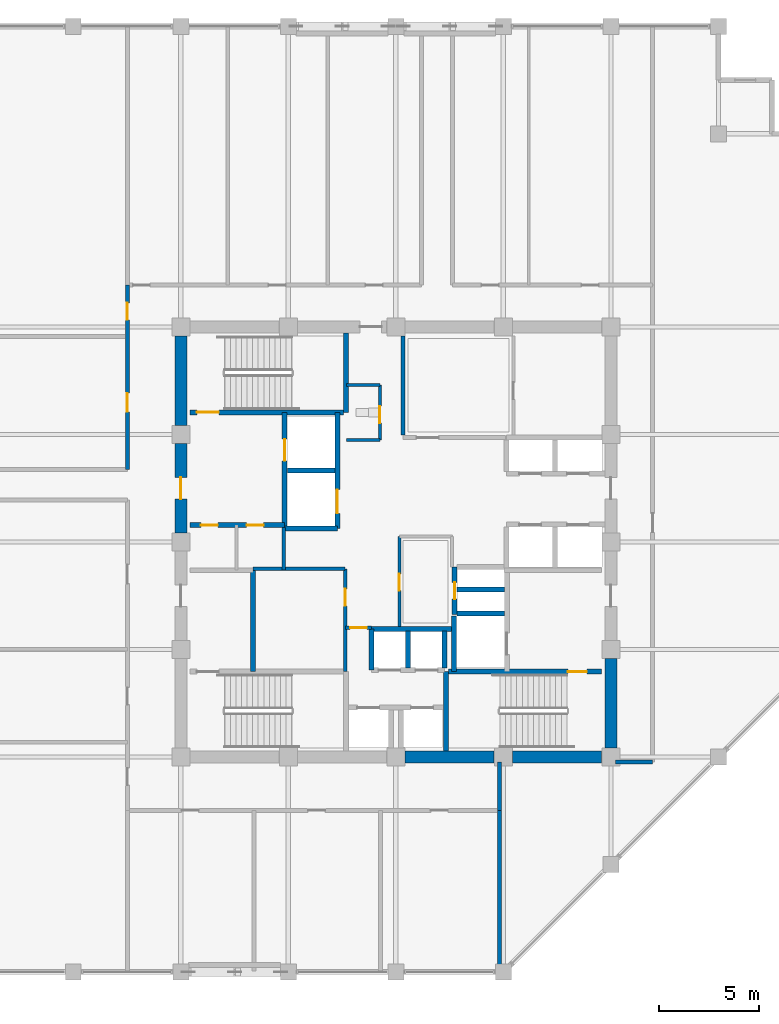
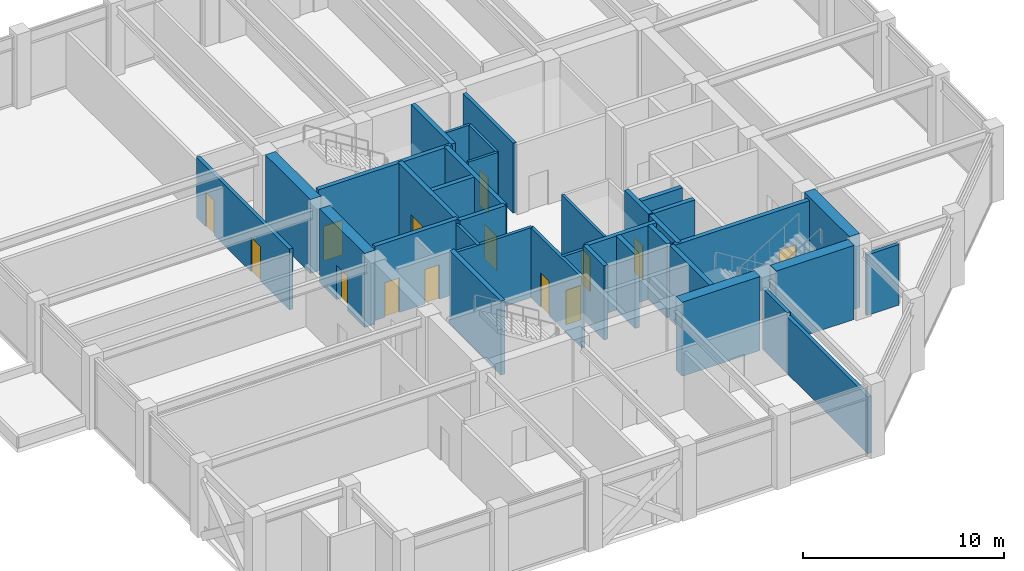
# One storey, part 24 of 28: 36 walls, 14 doors, 14 openings.
"""IFC4 building model written with IfcOpenShell, lengths in metres."""

import ifcopenshell
import ifcopenshell.guid

model = None  # the IFC model being written
_history = None  # IfcOwnerHistory: only IFC2X3 demands one
_inside = {}  # id of a spatial element -> (the spatial element, [elements in it])
_under = {}  # id of a project, library or spatial element -> (it, [spatial elements below it])
_declared = {}  # id of a project -> (the project, [libraries it declares])
_typed = {}  # id of a type object -> (the type object, [elements of that type])
_made_of = {}  # id of a material, layer set ... -> (it, [elements and type objects made of it])


def new_model(schema):
    """Start an empty IFC model of exactly this schema.

    Asked for "IFC4X3", IfcOpenShell would pick the latest addendum, in which some entities
    have other attributes; the version numbers below select the first issue.
    IFC2X3 requires an IfcOwnerHistory on every rooted entity: one is made here for all.
    """
    global model, _history
    if schema == "IFC4X3":
        model = ifcopenshell.file(schema_version=(4, 3, 0, 0))
    else:
        model = ifcopenshell.file(schema=schema)
    _inside.clear()
    _under.clear()
    _declared.clear()
    _typed.clear()
    _made_of.clear()
    _history = None
    if model.schema == "IFC2X3":
        org = make("IfcOrganization", Name="unknown")
        user = make(
            "IfcPersonAndOrganization",
            ThePerson=make("IfcPerson", FamilyName="unknown"),
            TheOrganization=org,
        )
        app = make(
            "IfcApplication",
            ApplicationDeveloper=org,
            Version="unknown",
            ApplicationFullName="unknown",
            ApplicationIdentifier="unknown",
        )
        _history = make(
            "IfcOwnerHistory",
            OwningUser=user,
            OwningApplication=app,
            ChangeAction="ADDED",
            CreationDate=0,
        )
    return model


def make(cls, **values):
    """One entity of the class cls with the attributes given. An attribute that is None is left unset."""
    return model.create_entity(
        cls, **{name: value for name, value in values.items() if value is not None}
    )


def rooted(cls, **values):
    """An entity with a GlobalId (a new one), such as an element, a storey or a relation."""
    return make(cls, GlobalId=ifcopenshell.guid.new(), OwnerHistory=_history, **values)


def si_unit(unit_type, name, prefix=None):
    """IfcSIUnit, for example si_unit("LENGTHUNIT", "METRE", prefix="MILLI")."""
    return make("IfcSIUnit", UnitType=unit_type, Prefix=prefix, Name=name)


def assignment(units):
    """IfcUnitAssignment: the units of a project."""
    return None if units is None else make("IfcUnitAssignment", Units=units)


def point(xyz):
    """IfcCartesianPoint."""
    return None if xyz is None else make("IfcCartesianPoint", Coordinates=xyz)


def direction(xyz):
    """IfcDirection."""
    return None if xyz is None else make("IfcDirection", DirectionRatios=xyz)


def frame(location, z_axis=None, x_axis=None):
    """IfcAxis2Placement3D, a coordinate frame: its origin and axes. An axis left out is left unset."""
    return make(
        "IfcAxis2Placement3D",
        Location=point(location),
        Axis=direction(z_axis),
        RefDirection=direction(x_axis),
    )


def frame_2d(location, x_axis=None):
    """IfcAxis2Placement2D, a coordinate frame in the plane: its origin and x axis."""
    return make(
        "IfcAxis2Placement2D", Location=point(location), RefDirection=direction(x_axis)
    )


def origin():
    """The frame at (0, 0, 0) with its axes left unset."""
    return frame((0.0, 0.0, 0.0))


def place(relative_to, where):
    """IfcLocalPlacement: puts the frame where relative to a parent placement (None: the world)."""
    return make(
        "IfcLocalPlacement", PlacementRelTo=relative_to, RelativePlacement=where
    )


def context(
    kind, dimensions, precision=None, world=None, true_north=None, identifier=None
):
    """IfcGeometricRepresentationContext, for example the 3D "Model" context."""
    return make(
        "IfcGeometricRepresentationContext",
        ContextIdentifier=identifier,
        ContextType=kind,
        CoordinateSpaceDimension=dimensions,
        Precision=precision,
        WorldCoordinateSystem=world,
        TrueNorth=true_north,
    )


def subcontext(parent, identifier, kind, view, scale=None):
    """IfcGeometricRepresentationSubContext, for example "Body" below "Model"."""
    return make(
        "IfcGeometricRepresentationSubContext",
        ContextIdentifier=identifier,
        ContextType=kind,
        ParentContext=parent,
        TargetScale=scale,
        TargetView=view,
    )


def project(units=None, contexts=None):
    """IfcProject with its units and contexts."""
    return rooted(
        "IfcProject",
        Name="project",
        RepresentationContexts=contexts,
        UnitsInContext=assignment(units),
    )


def spatial(cls, under=None, at=None, **own):
    """A site, building, storey or space (cls), placed at a placement, below another one or the project."""
    s = rooted(cls, ObjectPlacement=at, **own)
    if under is not None:
        _under.setdefault(under.id(), (under, []))[1].append(s)
    return s


def profile(cls, at=None, kind="AREA", **sizes):
    """A parametric profile (cls). Its sizes go by their IFC names, for example OverallWidth=200.0."""
    return make(cls, ProfileType=kind, Position=at, **sizes)


def rectangle(**sizes):
    """IfcRectangleProfileDef."""
    return profile("IfcRectangleProfileDef", **sizes)


def extrude(swept, where, along, depth):
    """IfcExtrudedAreaSolid: the profile swept, set in the frame where, extruded along a direction by depth."""
    return make(
        "IfcExtrudedAreaSolid",
        SweptArea=swept,
        Position=where,
        ExtrudedDirection=direction(along),
        Depth=depth,
    )


def shape(context_of_items, identifier, shape_type, items):
    """IfcShapeRepresentation: the items that make up one representation, for example the "Body"."""
    return make(
        "IfcShapeRepresentation",
        ContextOfItems=context_of_items,
        RepresentationIdentifier=identifier,
        RepresentationType=shape_type,
        Items=items,
    )


def material(Name=None, Category=None):
    """IfcMaterial."""
    return make("IfcMaterial", Name=Name, Category=Category)


def layer(
    of_material, thickness, ventilated=None, Name=None, Category=None, Priority=None
):
    """IfcMaterialLayer: one layer of a wall or slab, of a material (None: an air gap)."""
    return make(
        "IfcMaterialLayer",
        Material=of_material,
        LayerThickness=thickness,
        IsVentilated=ventilated,
        Name=Name,
        Category=Category,
        Priority=Priority,
    )


def layer_set(layers, Name=None):
    """IfcMaterialLayerSet."""
    return make("IfcMaterialLayerSet", MaterialLayers=layers, LayerSetName=Name)


def made_of(thing, what):
    """Note that an element or type object is made of a material, layer set ...; save() writes the relation."""
    if what is not None:
        _made_of.setdefault(what.id(), (what, []))[1].append(thing)
    return thing


def type_object(cls, material=None, **own):
    """A type object (cls), such as IfcWallType, which elements share."""
    return made_of(rooted(cls, **own), material)


def element(
    cls,
    number,
    at=None,
    inside=None,
    cuts=None,
    type_object=None,
    material=None,
    context=None,
    identifier="Body",
    shape_type=None,
    held_by="IfcProductDefinitionShape",
    body=None,
    shapes=None,
    **own,
):
    """One element of the class cls, such as IfcWall. Its Tag is "e" and its number.

    at: its placement. inside: the storey or other place that contains it. cuts: it is an
    opening in that element (IfcRelVoidsElement). A single representation is given by context,
    identifier, shape_type and body (its items); several are given by shapes. held_by: the class
    of the entity that holds the representations. save() writes the other relations.
    """
    e = rooted(cls, Tag="e%d" % number, ObjectPlacement=at, **own)
    if body is not None:
        shapes = [shape(context, identifier, shape_type, body)]
    if shapes is not None:
        e.Representation = make(held_by, Representations=shapes)
    if inside is not None:
        _inside.setdefault(inside.id(), (inside, []))[1].append(e)
    if cuts is not None:
        rooted(
            "IfcRelVoidsElement", RelatingBuildingElement=cuts, RelatedOpeningElement=e
        )
    if type_object is not None:
        _typed.setdefault(type_object.id(), (type_object, []))[1].append(e)
    return made_of(e, material)


def fill(opening, filler):
    """IfcRelFillsElement: the door or window that sits in an opening."""
    return rooted(
        "IfcRelFillsElement",
        RelatingOpeningElement=opening,
        RelatedBuildingElement=filler,
    )


def aggregate(whole, parts):
    """IfcRelAggregates: a whole, such as a stair, and the parts it consists of."""
    return rooted("IfcRelAggregates", RelatingObject=whole, RelatedObjects=parts)


def save(model, path):
    """Write the relations noted so far, then the file.

    IfcRelAggregates (storeys below a building ...), IfcRelContainedInSpatialStructure (elements
    in a storey), IfcRelDefinesByType, IfcRelAssociatesMaterial and IfcRelDeclares: one each for
    every whole, place, type object, material and project.
    """
    for whole, parts in _under.values():
        aggregate(whole, parts)
    for where, things in _inside.values():
        rooted(
            "IfcRelContainedInSpatialStructure",
            RelatedElements=things,
            RelatingStructure=where,
        )
    for kind, things in _typed.values():
        rooted("IfcRelDefinesByType", RelatedObjects=things, RelatingType=kind)
    for what, things in _made_of.values():
        rooted("IfcRelAssociatesMaterial", RelatedObjects=things, RelatingMaterial=what)
    for by, libraries in _declared.values():
        rooted("IfcRelDeclares", RelatingContext=by, RelatedDefinitions=libraries)
    model.write(path)


model = new_model("IFC4")

# Units and contexts
model_context = context("Model", 3, precision=1e-05, world=origin(), true_north=direction((0.0, 1.0)))
body_context = subcontext(model_context, "Body", "Model", "MODEL_VIEW")
ifc_project = project(units=[si_unit("LENGTHUNIT", "METRE"), si_unit("AREAUNIT", "SQUARE_METRE"), si_unit("VOLUMEUNIT", "CUBIC_METRE"), si_unit("PLANEANGLEUNIT", "RADIAN"), si_unit("MASSUNIT", "GRAM", prefix="KILO")], contexts=[model_context])

# Site, building, storey
site_placement = place(None, origin())
site = spatial("IfcSite", under=ifc_project, at=site_placement, CompositionType="ELEMENT")
building_placement = place(site_placement, origin())
building = spatial("IfcBuilding", under=site, at=building_placement, Name="Surkhivell Harbour Commons", CompositionType="ELEMENT")
storey_placement = place(building_placement, frame((0.0, 0.0, 249.75)))
storey = spatial("IfcBuildingStorey", under=building, at=storey_placement, Name="L65", CompositionType="ELEMENT", Elevation=249.75)

# Walls
ifc_material_1 = material(Name="Concrete C60/75", Category="concrete")
ifc_layer_1 = layer(ifc_material_1, 0.60009765625)
ifc_layer_set_1 = layer_set([ifc_layer_1], Name="Concrete C60/75")
wall_type_1 = type_object("IfcWallType", Name="WAL-CORE-600", PredefinedType="SHEAR", material=ifc_layer_set_1)
for number, where, z_axis, x_axis, name in (
    (1, (10.800048828125, -10.340087890625, 0.0), (0.0, 0.0, 1.0), (0.0, 1.0, 0.0), "L65 Core Shear Wall East 1"),
    (2, (0.4599609375, -10.800048828125, 0.0), (0.0, 0.0, 1.0), (1.0, 0.0, 0.0), "L65 Core Shear Wall South 3"),
):
    element("IfcWall", number, at=place(storey_placement, frame(where, z_axis=z_axis, x_axis=x_axis)), inside=storey, type_object=wall_type_1, Name=name, PredefinedType="SHEAR", context=body_context, shape_type="SweptSolid", body=[
        extrude(rectangle(XDim=4.47998046875, YDim=0.60009765625, at=frame_2d((2.239990234375, 0.0))), origin(), (0.0, 0.0, 1.0), 4.5),
    ])

# Wall, opening, door
wall_1_placement = place(storey_placement, frame((-10.800048828125, 0.4599609375, 0.0), z_axis=(0.0, 0.0, 1.0), x_axis=(0.0, 1.0, 0.0)))
wall_1 = element("IfcWall", 3, at=wall_1_placement, inside=storey, type_object=wall_type_1, Name="L65 Core Shear Wall West 3", PredefinedType="SHEAR", context=body_context, shape_type="SweptSolid", body=[
    extrude(rectangle(XDim=4.47998046875, YDim=0.60009765625, at=frame_2d((2.239990234375, 0.0))), origin(), (0.0, 0.0, 1.0), 4.5),
])
opening_1_placement = place(wall_1_placement, frame((1.68994140625, 0.0, 0.0)))
opening_1 = element("IfcOpeningElement", 4, at=opening_1_placement, cuts=wall_1, Name="Opening ID-1", PredefinedType="OPENING", context=body_context, shape_type="SweptSolid", body=[
    extrude(rectangle(XDim=1.10009765625, YDim=2.10009765625, at=frame_2d((0.550048828125, 1.050048828125))), frame((0.0, 0.31005859375, 0.0), z_axis=(0.0, -1.0, 0.0), x_axis=(1.0, 0.0, 0.0)), (0.0, 0.0, 1.0), 0.6201171875),
])
ifc_material_2 = material(Name="Hardwood-veneered fire-rated door leaf", Category="wood")
door_type_1 = type_object("IfcDoorType", Name="DOR-FD120-1100", OperationType="NOTDEFINED", PredefinedType="DOOR", material=ifc_material_2)
door_1_placement = place(opening_1_placement, origin())
door_1 = element("IfcDoor", 5, at=door_1_placement, inside=storey, type_object=door_type_1, Name="L65 Firefighting Lobby 1 Corridor Door", OperationType="SINGLE_SWING_LEFT", OverallHeight=2.10009765625, OverallWidth=1.10009765625, PredefinedType="DOOR", context=body_context, shape_type="SweptSolid", body=[
    extrude(rectangle(XDim=1.10009765625, YDim=2.10009765625, at=frame_2d((0.550048828125, 1.050048828125))), frame((0.0, 0.02490234375, 0.0), z_axis=(0.0, -1.0, 0.0), x_axis=(1.0, 0.0, 0.0)), (0.0, 0.0, 1.0), 0.050048828125),
])
fill(opening_1, door_1)

# Walls
for number, where, z_axis, x_axis, name in (
    (6, (5.860107421875, -10.800048828125, 0.0), (0.0, 0.0, 1.0), (1.0, 0.0, 0.0), "L65 Core Shear Wall South 4"),
    (7, (-10.800048828125, 5.860107421875, 0.0), (0.0, 0.0, 1.0), (0.0, 1.0, 0.0), "L65 Core Shear Wall West 4"),
):
    element("IfcWall", number, at=place(storey_placement, frame(where, z_axis=z_axis, x_axis=x_axis)), inside=storey, type_object=wall_type_1, Name=name, PredefinedType="SHEAR", context=body_context, shape_type="SweptSolid", body=[
        extrude(rectangle(XDim=4.47998046875, YDim=0.60009765625, at=frame_2d((2.239990234375, 0.0))), origin(), (0.0, 0.0, 1.0), 4.5),
    ])

# Wall, opening, door
ifc_material_3 = material(Name="Twin-stud acoustic fireboard partition", Category="other")
ifc_layer_2 = layer(ifc_material_3, 0.14990234375)
ifc_layer_set_2 = layer_set([ifc_layer_2], Name="Twin-stud acoustic fireboard partition")
wall_type_2 = type_object("IfcWallType", Name="WAL-INT-150", PredefinedType="PARTITIONING", material=ifc_layer_set_2)
wall_2_placement = place(storey_placement, frame((-0.800048828125, 5.1201171875, 0.0), z_axis=(0.0, 0.0, 1.0), x_axis=(0.0, 1.0, 0.0)))
wall_2 = element("IfcWall", 8, at=wall_2_placement, inside=storey, type_object=wall_type_2, Name="L65 Core Accessible WC East Wall", PredefinedType="PARTITIONING", context=body_context, shape_type="SweptSolid", body=[
    extrude(rectangle(XDim=2.759765625, YDim=0.14990234375, at=frame_2d((1.3798828125, 0.0))), origin(), (0.0, 0.0, 1.0), 4.25),
])
opening_2_placement = place(wall_2_placement, frame((0.85009765625, 0.0, 0.0)))
opening_2 = element("IfcOpeningElement", 9, at=opening_2_placement, cuts=wall_2, Name="Opening ID-6", PredefinedType="OPENING", context=body_context, shape_type="SweptSolid", body=[
    extrude(rectangle(XDim=0.85009765625, YDim=2.10009765625, at=frame_2d((0.425048828125, 1.050048828125))), frame((0.0, 0.0849609375, 0.0), z_axis=(0.0, -1.0, 0.0), x_axis=(1.0, 0.0, 0.0)), (0.0, 0.0, 1.0), 0.169921875),
])
door_type_2 = type_object("IfcDoorType", Name="DOR-FD30-850", OperationType="NOTDEFINED", PredefinedType="DOOR", material=ifc_material_2)
door_2_placement = place(opening_2_placement, origin())
door_2 = element("IfcDoor", 10, at=door_2_placement, inside=storey, type_object=door_type_2, Name="L65 Floor Accessible WC Door", OperationType="SINGLE_SWING_LEFT", OverallHeight=2.10009765625, OverallWidth=0.85009765625, PredefinedType="DOOR", context=body_context, shape_type="SweptSolid", body=[
    extrude(rectangle(XDim=0.85009765625, YDim=2.10009765625, at=frame_2d((0.425048828125, 1.050048828125))), frame((0.0, 0.02490234375, 0.0), z_axis=(0.0, -1.0, 0.0), x_axis=(1.0, 0.0, 0.0)), (0.0, 0.0, 1.0), 0.050048828125),
])
fill(opening_2, door_2)

# Walls
for number, where, z_axis, x_axis, name in (
    (11, (-2.47998046875, 7.8798828125, 0.0), (0.0, 0.0, 1.0), (1.0, 0.0, 0.0), "L65 Core Accessible WC North Wall"),
    (12, (-2.47998046875, 5.1201171875, 0.0), (0.0, 0.0, 1.0), (1.0, 0.0, 0.0), "L65 Core Accessible WC South Wall"),
):
    element("IfcWall", number, at=place(storey_placement, frame(where, z_axis=z_axis, x_axis=x_axis)), inside=storey, type_object=wall_type_2, Name=name, PredefinedType="PARTITIONING", context=body_context, shape_type="SweptSolid", body=[
        extrude(rectangle(XDim=1.679931640625, YDim=0.14990234375, at=frame_2d((0.83984375, 0.0))), origin(), (0.0, 0.0, 1.0), 4.25),
    ])

# Wall, opening, door
wall_3_placement = place(storey_placement, frame((0.179931640625, -4.25, 0.0), z_axis=(0.0, 0.0, 1.0), x_axis=(0.0, 1.0, 0.0)))
wall_3 = element("IfcWall", 13, at=wall_3_placement, inside=storey, type_object=wall_type_2, Name="L65 Central Music West Wall", PredefinedType="PARTITIONING", context=body_context, shape_type="SweptSolid", body=[
    extrude(rectangle(XDim=4.530029296875, YDim=0.14990234375, at=frame_2d((2.26513671875, 0.0))), origin(), (0.0, 0.0, 1.0), 4.25),
])
opening_3_placement = place(wall_3_placement, frame((1.800048828125, 0.0, 0.0)))
opening_3 = element("IfcOpeningElement", 14, at=opening_3_placement, cuts=wall_3, Name="Opening ID-6", PredefinedType="OPENING", context=body_context, shape_type="SweptSolid", body=[
    extrude(rectangle(XDim=0.85009765625, YDim=2.10009765625, at=frame_2d((0.425048828125, 1.050048828125))), frame((0.0, 0.0849609375, 0.0), z_axis=(0.0, -1.0, 0.0), x_axis=(1.0, 0.0, 0.0)), (0.0, 0.0, 1.0), 0.169921875),
])
door_3_placement = place(opening_3_placement, origin())
door_3 = element("IfcDoor", 15, at=door_3_placement, inside=storey, type_object=door_type_2, Name="L65 Central Music Door", OperationType="SINGLE_SWING_RIGHT", OverallHeight=2.10009765625, OverallWidth=0.85009765625, PredefinedType="DOOR", context=body_context, shape_type="SweptSolid", body=[
    extrude(rectangle(XDim=0.85009765625, YDim=2.10009765625, at=frame_2d((0.425048828125, 1.050048828125))), frame((0.0, 0.02490234375, 0.0), z_axis=(0.0, -1.0, 0.0), x_axis=(1.0, 0.0, 0.0)), (0.0, 0.0, 1.0), 0.050048828125),
])
fill(opening_3, door_3)

ifc_material_4 = material(Name="High-density acoustic blockwork fire partition", Category="masonry")
ifc_layer_3 = layer(ifc_material_4, 0.175048828125)
ifc_layer_set_3 = layer_set([ifc_layer_3], Name="High-density acoustic blockwork fire partition")
wall_type_3 = type_object("IfcWallType", Name="WAL-INT-175", PredefinedType="PARTITIONING", material=ifc_layer_set_3)
wall_4_placement = place(storey_placement, frame((-2.550048828125, -6.510009765625, 0.0), z_axis=(0.0, 0.0, 1.0), x_axis=(0.0, 1.0, 0.0)))
wall_4 = element("IfcWall", 16, at=wall_4_placement, inside=storey, type_object=wall_type_3, Name="L65 Core Service Bay East Wall", PredefinedType="PARTITIONING", context=body_context, shape_type="SweptSolid", body=[
    extrude(rectangle(XDim=5.159912109375, YDim=0.175048828125, at=frame_2d((2.580078125, 0.0))), origin(), (0.0, 0.0, 1.0), 4.25),
])
opening_4_placement = place(wall_4_placement, frame((3.300048828125, 0.0, 0.0)))
opening_4 = element("IfcOpeningElement", 17, at=opening_4_placement, cuts=wall_4, Name="Opening ID-6", PredefinedType="OPENING", context=body_context, shape_type="SweptSolid", body=[
    extrude(rectangle(XDim=0.85009765625, YDim=2.10009765625, at=frame_2d((0.425048828125, 1.050048828125))), frame((0.0, 0.097412109375, 0.0), z_axis=(0.0, -1.0, 0.0), x_axis=(1.0, 0.0, 0.0)), (0.0, 0.0, 1.0), 0.195068359375),
])
door_4_placement = place(opening_4_placement, origin())
door_4 = element("IfcDoor", 18, at=door_4_placement, inside=storey, type_object=door_type_2, Name="L65 Core Quiet Reading Door", OperationType="SINGLE_SWING_RIGHT", OverallHeight=2.10009765625, OverallWidth=0.85009765625, PredefinedType="DOOR", context=body_context, shape_type="SweptSolid", body=[
    extrude(rectangle(XDim=0.85009765625, YDim=2.10009765625, at=frame_2d((0.425048828125, 1.050048828125))), frame((0.0, 0.02490234375, 0.0), z_axis=(0.0, -1.0, 0.0), x_axis=(1.0, 0.0, 0.0)), (0.0, 0.0, 1.0), 0.050048828125),
])
fill(opening_4, door_4)

# Walls
wall_5_placement = place(storey_placement, frame((-7.179931640625, -1.35009765625, 0.0), z_axis=(0.0, 0.0, 1.0), x_axis=(1.0, 0.0, 0.0)))
element("IfcWall", 19, at=wall_5_placement, inside=storey, type_object=wall_type_3, Name="L65 Core Service Bay North Wall", PredefinedType="PARTITIONING", context=body_context, shape_type="SweptSolid", body=[
    extrude(rectangle(XDim=4.6298828125, YDim=0.175048828125, at=frame_2d((2.31494140625, 0.0))), origin(), (0.0, 0.0, 1.0), 4.25),
])
wall_6_placement = place(storey_placement, frame((-5.6201171875, -1.419921875, 0.0), z_axis=(0.0, 0.0, 1.0), x_axis=(0.0, 1.0, 0.0)))
element("IfcWall", 20, at=wall_6_placement, inside=storey, type_object=wall_type_3, Name="L65 West Core Bay East Wall", PredefinedType="PARTITIONING", context=body_context, shape_type="SweptSolid", body=[
    extrude(rectangle(XDim=2.139892578125, YDim=0.175048828125, at=frame_2d((1.06982421875, 0.0))), origin(), (0.0, 0.0, 1.0), 4.25),
])

# Wall, opening, door
wall_7_placement = place(storey_placement, frame((-2.52001953125, -4.320068359375, 0.0), z_axis=(0.0, 0.0, 1.0), x_axis=(1.0, 0.0, 0.0)))
wall_7 = element("IfcWall", 21, at=wall_7_placement, inside=storey, type_object=wall_type_3, Name="L65 High-Rise Lobby North Portal Wall", PredefinedType="PARTITIONING", context=body_context, shape_type="SweptSolid", body=[
    extrude(rectangle(XDim=1.300048828125, YDim=0.175048828125, at=frame_2d((0.64990234375, 0.0))), origin(), (0.0, 0.0, 1.0), 4.25),
])
opening_5_placement = place(wall_7_placement, frame((0.219970703125, 0.0, 0.0)))
opening_5 = element("IfcOpeningElement", 22, at=opening_5_placement, cuts=wall_7, Name="Opening ID-6", PredefinedType="OPENING", context=body_context, shape_type="SweptSolid", body=[
    extrude(rectangle(XDim=0.85009765625, YDim=2.10009765625, at=frame_2d((0.425048828125, 1.050048828125))), frame((0.0, 0.097412109375, 0.0), z_axis=(0.0, -1.0, 0.0), x_axis=(1.0, 0.0, 0.0)), (0.0, 0.0, 1.0), 0.195068359375),
])
door_5_placement = place(opening_5_placement, origin())
door_5 = element("IfcDoor", 23, at=door_5_placement, inside=storey, type_object=door_type_2, Name="L65 High-Rise Lift Lobby North Door", OperationType="SINGLE_SWING_LEFT", OverallHeight=2.10009765625, OverallWidth=0.85009765625, PredefinedType="DOOR", context=body_context, shape_type="SweptSolid", body=[
    extrude(rectangle(XDim=0.85009765625, YDim=2.10009765625, at=frame_2d((0.425048828125, 1.050048828125))), frame((0.0, 0.02490234375, 0.0), z_axis=(0.0, -1.0, 0.0), x_axis=(1.0, 0.0, 0.0)), (0.0, 0.0, 1.0), 0.050048828125),
])
fill(opening_5, door_5)

# Walls
ifc_material_5 = material(Name="Autoclaved aerated concrete blockwork and fire plaster", Category="masonry")
ifc_layer_4 = layer(ifc_material_5, 0.199951171875)
ifc_layer_set_4 = layer_set([ifc_layer_4], Name="Autoclaved aerated concrete blockwork and fire plaster")
wall_type_4 = type_object("IfcWallType", Name="WAL-INT-200", PredefinedType="PARTITIONING", material=ifc_layer_set_4)
wall_8_placement = place(storey_placement, frame((0.35009765625, 5.360107421875, 0.0), z_axis=(0.0, 0.0, 1.0), x_axis=(0.0, 1.0, 0.0)))
element("IfcWall", 24, at=wall_8_placement, inside=storey, type_object=wall_type_4, Name="L65 Reclaimed Core North Bay West Wall", PredefinedType="PARTITIONING", context=body_context, shape_type="SweptSolid", body=[
    extrude(rectangle(XDim=4.97998046875, YDim=0.199951171875, at=frame_2d((2.489990234375, 0.0))), origin(), (0.0, 0.0, 1.0), 4.25),
])
wall_9_placement = place(storey_placement, frame((5.199951171875, -21.5400390625, 0.0), z_axis=(0.0, 0.0, 1.0), x_axis=(0.0, 1.0, 0.0)))
element("IfcWall", 25, at=wall_9_placement, inside=storey, type_object=wall_type_4, Name="L65 South-East Corner Wall", PredefinedType="PARTITIONING", context=body_context, shape_type="SweptSolid", body=[
    extrude(rectangle(XDim=8.06005859375, YDim=0.199951171875, at=frame_2d((4.030029296875, 0.0))), origin(), (0.0, 0.0, 1.0), 3.4599609375),
])
wall_10_placement = place(storey_placement, frame((11.0400390625, -11.0400390625, 0.0), z_axis=(0.0, 0.0, 1.0), x_axis=(1.0, 0.0, 0.0)))
element("IfcWall", 26, at=wall_10_placement, inside=storey, type_object=wall_type_4, Name="L65 Corridor East South Closure Wall", PredefinedType="PARTITIONING", context=body_context, shape_type="SweptSolid", body=[
    extrude(rectangle(XDim=1.85986328125, YDim=0.199951171875, at=frame_2d((0.929931640625, 0.0))), origin(), (0.0, 0.0, 1.0), 3.68603515625),
])
wall_11_placement = place(storey_placement, frame((5.199951171875, -13.47998046875, 0.0), z_axis=(0.0, 0.0, 1.0), x_axis=(0.0, 1.0, 0.0)))
element("IfcWall", 27, at=wall_11_placement, inside=storey, type_object=wall_type_4, Name="L65 Corridor South End Wall", PredefinedType="PARTITIONING", context=body_context, shape_type="SweptSolid", body=[
    extrude(rectangle(XDim=2.43994140625, YDim=0.199951171875, at=frame_2d((1.219970703125, 0.0))), origin(), (0.0, 0.0, 1.0), 3.68603515625),
])

# Wall, openings, doors
wall_12_placement = place(storey_placement, frame((-13.47998046875, 3.64990234375, 0.0), z_axis=(0.0, 0.0, 1.0), x_axis=(0.0, 1.0, 0.0)))
wall_12 = element("IfcWall", 28, at=wall_12_placement, inside=storey, type_object=wall_type_4, Name="L65 Corridor West-Upper Wall", PredefinedType="PARTITIONING", context=body_context, shape_type="SweptSolid", body=[
    extrude(rectangle(XDim=9.25, YDim=0.199951171875, at=frame_2d((4.625, 0.0))), origin(), (0.0, 0.0, 1.0), 3.68603515625),
])
opening_6_placement = place(wall_12_placement, frame((2.8798828125, 0.0, 0.0)))
opening_6 = element("IfcOpeningElement", 29, at=opening_6_placement, cuts=wall_12, Name="Opening ID-4", PredefinedType="OPENING", context=body_context, shape_type="SweptSolid", body=[
    extrude(rectangle(XDim=0.949951171875, YDim=2.10009765625, at=frame_2d((0.47509765625, 1.050048828125))), frame((0.0, 0.10986328125, 0.0), z_axis=(0.0, -1.0, 0.0), x_axis=(1.0, 0.0, 0.0)), (0.0, 0.0, 1.0), 0.219970703125),
])
opening_7_placement = place(wall_12_placement, frame((7.5048828125, 0.0, 0.0)))
opening_7 = element("IfcOpeningElement", 30, at=opening_7_placement, cuts=wall_12, Name="Opening ID-6", PredefinedType="OPENING", context=body_context, shape_type="SweptSolid", body=[
    extrude(rectangle(XDim=0.85009765625, YDim=2.10009765625, at=frame_2d((0.425048828125, 1.050048828125))), frame((0.0, 0.10986328125, 0.0), z_axis=(0.0, -1.0, 0.0), x_axis=(1.0, 0.0, 0.0)), (0.0, 0.0, 1.0), 0.219970703125),
])
door_6_placement = place(opening_7_placement, origin())
door_6 = element("IfcDoor", 31, at=door_6_placement, inside=storey, type_object=door_type_2, Name="L65 Resident Advisory Reception Desk North-West Door", OperationType="SINGLE_SWING_RIGHT", OverallHeight=2.10009765625, OverallWidth=0.85009765625, PredefinedType="DOOR", context=body_context, shape_type="SweptSolid", body=[
    extrude(rectangle(XDim=0.85009765625, YDim=2.10009765625, at=frame_2d((0.425048828125, 1.050048828125))), frame((0.0, 0.02490234375, 0.0), z_axis=(0.0, -1.0, 0.0), x_axis=(1.0, 0.0, 0.0)), (0.0, 0.0, 1.0), 0.050048828125),
])
fill(opening_7, door_6)
door_type_3 = type_object("IfcDoorType", Name="DOR-FD60-950", OperationType="NOTDEFINED", PredefinedType="DOOR", material=ifc_material_2)
door_7_placement = place(opening_6_placement, origin())
door_7 = element("IfcDoor", 32, at=door_7_placement, inside=storey, type_object=door_type_3, Name="L65 Zone Concierge Reception Foyer North-West Door", OperationType="SINGLE_SWING_LEFT", OverallHeight=2.10009765625, OverallWidth=0.949951171875, PredefinedType="DOOR", context=body_context, shape_type="SweptSolid", body=[
    extrude(rectangle(XDim=0.949951171875, YDim=2.10009765625, at=frame_2d((0.47509765625, 1.050048828125))), frame((0.0, 0.02490234375, 0.0), z_axis=(0.0, -1.0, 0.0), x_axis=(1.0, 0.0, 0.0)), (0.0, 0.0, 1.0), 0.050048828125),
])
fill(opening_6, door_7)

# Wall, opening, door
ifc_material_6 = material(Name="Concrete C50/60", Category="concrete")
ifc_layer_5 = layer(ifc_material_6, 0.25)
ifc_layer_set_5 = layer_set([ifc_layer_5], Name="Concrete C50/60")
wall_type_5 = type_object("IfcWallType", Name="WAL-SHAFT-250", PredefinedType="SHEAR", material=ifc_layer_set_5)
wall_13_placement = place(storey_placement, frame((-5.580078125, 0.719970703125, 0.0), z_axis=(0.0, 0.0, 1.0), x_axis=(0.0, 1.0, 0.0)))
wall_13 = element("IfcWall", 33, at=wall_13_placement, inside=storey, type_object=wall_type_5, Name="L65 Firefighting Lobby 1 East Shaft Wall", PredefinedType="SHEAR", context=body_context, shape_type="SweptSolid", body=[
    extrude(rectangle(XDim=5.7900390625, YDim=0.25, at=frame_2d((2.89501953125, 0.0))), origin(), (0.0, 0.0, 1.0), 4.5),
])
opening_8_placement = place(wall_13_placement, frame((3.35009765625, 0.0, 0.0)))
opening_8 = element("IfcOpeningElement", 34, at=opening_8_placement, cuts=wall_13, Name="Opening LD-1", PredefinedType="OPENING", context=body_context, shape_type="SweptSolid", body=[
    extrude(rectangle(XDim=1.10009765625, YDim=2.10009765625, at=frame_2d((0.550048828125, 1.050048828125))), frame((0.0, 0.135009765625, 0.0), z_axis=(0.0, -1.0, 0.0), x_axis=(1.0, 0.0, 0.0)), (0.0, 0.0, 1.0), 0.27001953125),
])
ifc_material_7 = material(Name="Brushed stainless steel S355", Category="steel")
door_type_4 = type_object("IfcDoorType", Name="DOR-LD-1100", OperationType="SLIDING_TO_LEFT", PredefinedType="DOOR", material=ifc_material_7)
door_8_placement = place(opening_8_placement, origin())
door_8 = element("IfcDoor", 35, at=door_8_placement, inside=storey, type_object=door_type_4, Name="L65 Lift Landing Door LD-FFL1", OperationType="SLIDING_TO_LEFT", OverallHeight=2.10009765625, OverallWidth=1.10009765625, PredefinedType="DOOR", context=body_context, shape_type="SweptSolid", body=[
    extrude(rectangle(XDim=1.10009765625, YDim=2.10009765625, at=frame_2d((0.550048828125, 1.050048828125))), frame((0.0, 0.02490234375, 0.0), z_axis=(0.0, -1.0, 0.0), x_axis=(1.0, 0.0, 0.0)), (0.0, 0.0, 1.0), 0.050048828125),
])
fill(opening_8, door_8)

# Wall, openings, doors
wall_14_placement = place(storey_placement, frame((-10.340087890625, 0.85009765625, 0.0), z_axis=(0.0, 0.0, 1.0), x_axis=(1.0, 0.0, 0.0)))
wall_14 = element("IfcWall", 36, at=wall_14_placement, inside=storey, type_object=wall_type_5, Name="L65 Firefighting Lobby 1 South Wall", PredefinedType="SHEAR", context=body_context, shape_type="SweptSolid", body=[
    extrude(rectangle(XDim=4.760009765625, YDim=0.25, at=frame_2d((2.3798828125, 0.0))), origin(), (0.0, 0.0, 1.0), 4.5),
])
opening_9_placement = place(wall_14_placement, frame((0.550048828125, 0.0, 0.0)))
opening_9 = element("IfcOpeningElement", 37, at=opening_9_placement, cuts=wall_14, Name="Opening ID-6", PredefinedType="OPENING", context=body_context, shape_type="SweptSolid", body=[
    extrude(rectangle(XDim=0.85009765625, YDim=2.10009765625, at=frame_2d((0.425048828125, 1.050048828125))), frame((0.0, 0.135009765625, 0.0), z_axis=(0.0, -1.0, 0.0), x_axis=(1.0, 0.0, 0.0)), (0.0, 0.0, 1.0), 0.27001953125),
])
opening_10_placement = place(wall_14_placement, frame((2.85009765625, 0.0, 0.0)))
opening_10 = element("IfcOpeningElement", 38, at=opening_10_placement, cuts=wall_14, Name="Opening ID-6", PredefinedType="OPENING", context=body_context, shape_type="SweptSolid", body=[
    extrude(rectangle(XDim=0.85009765625, YDim=2.10009765625, at=frame_2d((0.425048828125, 1.050048828125))), frame((0.0, 0.135009765625, 0.0), z_axis=(0.0, -1.0, 0.0), x_axis=(1.0, 0.0, 0.0)), (0.0, 0.0, 1.0), 0.27001953125),
])
door_9_placement = place(opening_9_placement, origin())
door_9 = element("IfcDoor", 39, at=door_9_placement, inside=storey, type_object=door_type_2, Name="L65 West Seminar Pod Door", OperationType="SINGLE_SWING_LEFT", OverallHeight=2.10009765625, OverallWidth=0.85009765625, PredefinedType="DOOR", context=body_context, shape_type="SweptSolid", body=[
    extrude(rectangle(XDim=0.85009765625, YDim=2.10009765625, at=frame_2d((0.425048828125, 1.050048828125))), frame((0.0, 0.02490234375, 0.0), z_axis=(0.0, -1.0, 0.0), x_axis=(1.0, 0.0, 0.0)), (0.0, 0.0, 1.0), 0.050048828125),
])
fill(opening_9, door_9)
door_10_placement = place(opening_10_placement, origin())
door_10 = element("IfcDoor", 40, at=door_10_placement, inside=storey, type_object=door_type_2, Name="L65 West Reading Pod Door", OperationType="SINGLE_SWING_RIGHT", OverallHeight=2.10009765625, OverallWidth=0.85009765625, PredefinedType="DOOR", context=body_context, shape_type="SweptSolid", body=[
    extrude(rectangle(XDim=0.85009765625, YDim=2.10009765625, at=frame_2d((0.425048828125, 1.050048828125))), frame((0.0, 0.02490234375, 0.0), z_axis=(0.0, -1.0, 0.0), x_axis=(1.0, 0.0, 0.0)), (0.0, 0.0, 1.0), 0.050048828125),
])
fill(opening_10, door_10)

# Walls
wall_15_placement = place(storey_placement, frame((2.929931640625, -6.510009765625, 0.0), z_axis=(0.0, 0.0, 1.0), x_axis=(0.0, 1.0, 0.0)))
element("IfcWall", 41, at=wall_15_placement, inside=storey, type_object=wall_type_5, Name="L65 FFL2 West Shaft Wall", PredefinedType="SHEAR", context=body_context, shape_type="SweptSolid", body=[
    extrude(rectangle(XDim=2.7900390625, YDim=0.25, at=frame_2d((1.39501953125, 0.0))), origin(), (0.0, 0.0, 1.0), 4.5),
])
wall_16_placement = place(storey_placement, frame((3.080078125, -3.60009765625, 0.0), z_axis=(0.0, 0.0, 1.0), x_axis=(1.0, 0.0, 0.0)))
element("IfcWall", 42, at=wall_16_placement, inside=storey, type_object=wall_type_5, Name="L65 FFL2 North Shaft Wall", PredefinedType="SHEAR", context=body_context, shape_type="SweptSolid", body=[
    extrude(rectangle(XDim=2.369873046875, YDim=0.25, at=frame_2d((1.18505859375, 0.0))), origin(), (0.0, 0.0, 1.0), 4.5),
])
for number, where, z_axis, x_axis, name in (
    (43, (0.6201171875, -6.340087890625, 0.0), (0.0, 0.0, 1.0), (0.0, 1.0, 0.0), "L65 High-Rise Side Wall N"),
    (44, (2.449951171875, -6.340087890625, 0.0), (0.0, 0.0, 1.0), (0.0, 1.0, 0.0), "L65 High-Rise Side Wall N"),
):
    element("IfcWall", number, at=place(storey_placement, frame(where, z_axis=z_axis, x_axis=x_axis)), inside=storey, type_object=wall_type_5, Name=name, PredefinedType="SHEAR", context=body_context, shape_type="SweptSolid", body=[
        extrude(rectangle(XDim=1.880126953125, YDim=0.25, at=frame_2d((0.93994140625, 0.0))), origin(), (0.0, 0.0, 1.0), 4.5),
    ])
wall_17_placement = place(storey_placement, frame((-1.219970703125, -6.43994140625, 0.0), z_axis=(0.0, 0.0, 1.0), x_axis=(0.0, 1.0, 0.0)))
element("IfcWall", 45, at=wall_17_placement, inside=storey, type_object=wall_type_5, Name="L65 High-Rise Passage East Shaft Wall", PredefinedType="SHEAR", context=body_context, shape_type="SweptSolid", body=[
    extrude(rectangle(XDim=2.079833984375, YDim=0.25, at=frame_2d((1.0400390625, 0.0))), origin(), (0.0, 0.0, 1.0), 4.5),
])
wall_18_placement = place(storey_placement, frame((-1.219970703125, -4.360107421875, 0.0), z_axis=(0.0, 0.0, 1.0), x_axis=(1.0, 0.0, 0.0)))
element("IfcWall", 46, at=wall_18_placement, inside=storey, type_object=wall_type_5, Name="L65 High-Rise North Back Shaft Wall", PredefinedType="SHEAR", context=body_context, shape_type="SweptSolid", body=[
    extrude(rectangle(XDim=4.030029296875, YDim=0.25, at=frame_2d((2.01513671875, 0.0))), origin(), (0.0, 0.0, 1.0), 4.5),
])
wall_19_placement = place(storey_placement, frame((3.080078125, -2.3798828125, 0.0), z_axis=(0.0, 0.0, 1.0), x_axis=(1.0, 0.0, 0.0)))
element("IfcWall", 47, at=wall_19_placement, inside=storey, type_object=wall_type_5, Name="L65 Riser Divider Wall", PredefinedType="SHEAR", context=body_context, shape_type="SweptSolid", body=[
    extrude(rectangle(XDim=2.369873046875, YDim=0.25, at=frame_2d((1.18505859375, 0.0))), origin(), (0.0, 0.0, 1.0), 4.5),
])

# Wall, opening, door
wall_20_placement = place(storey_placement, frame((2.949951171875, -3.64990234375, 0.0), z_axis=(0.0, 0.0, 1.0), x_axis=(0.0, 1.0, 0.0)))
wall_20 = element("IfcWall", 48, at=wall_20_placement, inside=storey, type_object=wall_type_5, Name="L65 Riser Shaft West Wall", PredefinedType="SHEAR", context=body_context, shape_type="SweptSolid", body=[
    extrude(rectangle(XDim=2.39990234375, YDim=0.25, at=frame_2d((1.199951171875, 0.0))), origin(), (0.0, 0.0, 1.0), 4.5),
])
opening_11_placement = place(wall_20_placement, frame((0.77490234375, 0.0, 0.0)))
opening_11 = element("IfcOpeningElement", 49, at=opening_11_placement, cuts=wall_20, Name="Opening ID-6", PredefinedType="OPENING", context=body_context, shape_type="SweptSolid", body=[
    extrude(rectangle(XDim=0.85009765625, YDim=2.10009765625, at=frame_2d((0.425048828125, 1.050048828125))), frame((0.0, 0.135009765625, 0.0), z_axis=(0.0, -1.0, 0.0), x_axis=(1.0, 0.0, 0.0)), (0.0, 0.0, 1.0), 0.27001953125),
])
door_11_placement = place(opening_11_placement, origin())
door_11 = element("IfcDoor", 50, at=door_11_placement, inside=storey, type_object=door_type_2, Name="L65 Electrical Riser Access Door", OperationType="SINGLE_SWING_LEFT", OverallHeight=2.10009765625, OverallWidth=0.85009765625, PredefinedType="DOOR", context=body_context, shape_type="SweptSolid", body=[
    extrude(rectangle(XDim=0.85009765625, YDim=2.10009765625, at=frame_2d((0.425048828125, 1.050048828125))), frame((0.0, 0.02490234375, 0.0), z_axis=(0.0, -1.0, 0.0), x_axis=(1.0, 0.0, 0.0)), (0.0, 0.0, 1.0), 0.050048828125),
])
fill(opening_11, door_11)

# Wall
wall_21_placement = place(storey_placement, frame((-2.510009765625, 6.510009765625, 0.0), z_axis=(0.0, 0.0, 1.0), x_axis=(0.0, 1.0, 0.0)))
element("IfcWall", 51, at=wall_21_placement, inside=storey, type_object=wall_type_5, Name="L65 Stair ST1 East Shear Wall", PredefinedType="SHEAR", context=body_context, shape_type="SweptSolid", body=[
    extrude(rectangle(XDim=3.989990234375, YDim=0.25, at=frame_2d((1.9951171875, 0.0))), origin(), (0.0, 0.0, 1.0), 4.5),
])

# Wall, opening, door
wall_22_placement = place(storey_placement, frame((-10.340087890625, 6.510009765625, 0.0), z_axis=(0.0, 0.0, 1.0), x_axis=(1.0, 0.0, 0.0)))
wall_22 = element("IfcWall", 52, at=wall_22_placement, inside=storey, type_object=wall_type_5, Name="L65 Stair ST1 South Shear Wall", PredefinedType="SHEAR", context=body_context, shape_type="SweptSolid", body=[
    extrude(rectangle(XDim=7.7001953125, YDim=0.25, at=frame_2d((3.85009765625, 0.0))), origin(), (0.0, 0.0, 1.0), 4.5),
])
opening_12_placement = place(wall_22_placement, frame((0.35009765625, 0.0, 0.0)))
opening_12 = element("IfcOpeningElement", 53, at=opening_12_placement, cuts=wall_22, Name="Opening ID-2", PredefinedType="OPENING", context=body_context, shape_type="SweptSolid", body=[
    extrude(rectangle(XDim=1.10009765625, YDim=2.10009765625, at=frame_2d((0.550048828125, 1.050048828125))), frame((0.0, 0.135009765625, 0.0), z_axis=(0.0, -1.0, 0.0), x_axis=(1.0, 0.0, 0.0)), (0.0, 0.0, 1.0), 0.27001953125),
])
door_type_5 = type_object("IfcDoorType", Name="DOR-FD60-1100", OperationType="NOTDEFINED", PredefinedType="DOOR", material=ifc_material_2)
door_12_placement = place(opening_12_placement, origin())
door_12 = element("IfcDoor", 54, at=door_12_placement, inside=storey, type_object=door_type_5, Name="L65 Stair ST1 Exit Door", OperationType="SINGLE_SWING_LEFT", OverallHeight=2.10009765625, OverallWidth=1.10009765625, PredefinedType="DOOR", context=body_context, shape_type="SweptSolid", body=[
    extrude(rectangle(XDim=1.10009765625, YDim=2.10009765625, at=frame_2d((0.550048828125, 1.050048828125))), frame((0.0, 0.02490234375, 0.0), z_axis=(0.0, -1.0, 0.0), x_axis=(1.0, 0.0, 0.0)), (0.0, 0.0, 1.0), 0.050048828125),
])
fill(opening_12, door_12)

wall_23_placement = place(storey_placement, frame((2.639892578125, -6.510009765625, 0.0), z_axis=(0.0, 0.0, 1.0), x_axis=(1.0, 0.0, 0.0)))
wall_23 = element("IfcWall", 55, at=wall_23_placement, inside=storey, type_object=wall_type_5, Name="L65 Stair ST2 North Shear Wall", PredefinedType="SHEAR", context=body_context, shape_type="SweptSolid", body=[
    extrude(rectangle(XDim=7.7001953125, YDim=0.25, at=frame_2d((3.85009765625, 0.0))), origin(), (0.0, 0.0, 1.0), 4.5),
])
opening_13_placement = place(wall_23_placement, frame((6.0, 0.0, 0.0)))
opening_13 = element("IfcOpeningElement", 56, at=opening_13_placement, cuts=wall_23, Name="Opening ID-4", PredefinedType="OPENING", context=body_context, shape_type="SweptSolid", body=[
    extrude(rectangle(XDim=0.949951171875, YDim=2.10009765625, at=frame_2d((0.47509765625, 1.050048828125))), frame((0.0, 0.135009765625, 0.0), z_axis=(0.0, -1.0, 0.0), x_axis=(1.0, 0.0, 0.0)), (0.0, 0.0, 1.0), 0.27001953125),
])
door_13_placement = place(opening_13_placement, origin())
door_13 = element("IfcDoor", 57, at=door_13_placement, inside=storey, type_object=door_type_3, Name="L65 Stair ST2 Exit Door", OperationType="SINGLE_SWING_RIGHT", OverallHeight=2.10009765625, OverallWidth=0.949951171875, PredefinedType="DOOR", context=body_context, shape_type="SweptSolid", body=[
    extrude(rectangle(XDim=0.949951171875, YDim=2.10009765625, at=frame_2d((0.47509765625, 1.050048828125))), frame((0.0, 0.02490234375, 0.0), z_axis=(0.0, -1.0, 0.0), x_axis=(1.0, 0.0, 0.0)), (0.0, 0.0, 1.0), 0.050048828125),
])
fill(opening_13, door_13)

# Walls
wall_24_placement = place(storey_placement, frame((2.510009765625, -10.5, 0.0), z_axis=(0.0, 0.0, 1.0), x_axis=(0.0, 1.0, 0.0)))
element("IfcWall", 58, at=wall_24_placement, inside=storey, type_object=wall_type_5, Name="L65 Stair ST2 West Shear Wall", PredefinedType="SHEAR", context=body_context, shape_type="SweptSolid", body=[
    extrude(rectangle(XDim=3.989990234375, YDim=0.25, at=frame_2d((1.9951171875, 0.0))), origin(), (0.0, 0.0, 1.0), 4.5),
])
wall_25_placement = place(storey_placement, frame((-7.179931640625, -6.510009765625, 0.0), z_axis=(0.0, 0.0, 1.0), x_axis=(0.0, 1.0, 0.0)))
element("IfcWall", 59, at=wall_25_placement, inside=storey, type_object=wall_type_5, Name="L65 Stair 3 Lobby East Wall", PredefinedType="SHEAR", context=body_context, shape_type="SweptSolid", body=[
    extrude(rectangle(XDim=5.090087890625, YDim=0.25, at=frame_2d((2.544921875, 0.0))), origin(), (0.0, 0.0, 1.0), 4.5),
])

# Wall, opening, door
wall_26_placement = place(storey_placement, frame((-2.929931640625, 0.679931640625, 0.0), z_axis=(0.0, 0.0, 1.0), x_axis=(0.0, 1.0, 0.0)))
wall_26 = element("IfcWall", 60, at=wall_26_placement, inside=storey, type_object=wall_type_5, Name="L65 Service and Fire Lift East Shaft Wall", PredefinedType="SHEAR", context=body_context, shape_type="SweptSolid", body=[
    extrude(rectangle(XDim=5.830078125, YDim=0.25, at=frame_2d((2.9150390625, 0.0))), origin(), (0.0, 0.0, 1.0), 4.5),
])
opening_14_placement = place(wall_26_placement, frame((0.75, 0.0, 0.0)))
opening_14 = element("IfcOpeningElement", 61, at=opening_14_placement, cuts=wall_26, Name="Opening LD-2", PredefinedType="OPENING", context=body_context, shape_type="SweptSolid", body=[
    extrude(rectangle(XDim=1.199951171875, YDim=2.10009765625, at=frame_2d((0.60009765625, 1.050048828125))), frame((0.0, 0.135009765625, 0.0), z_axis=(0.0, -1.0, 0.0), x_axis=(1.0, 0.0, 0.0)), (0.0, 0.0, 1.0), 0.27001953125),
])
door_type_6 = type_object("IfcDoorType", Name="DOR-LD-1200", OperationType="SLIDING_TO_LEFT", PredefinedType="DOOR", material=ifc_material_7)
door_14_placement = place(opening_14_placement, origin())
door_14 = element("IfcDoor", 62, at=door_14_placement, inside=storey, type_object=door_type_6, Name="L65 Lift Landing Door LD-SVL1", OperationType="SLIDING_TO_LEFT", OverallHeight=2.10009765625, OverallWidth=1.199951171875, PredefinedType="DOOR", context=body_context, shape_type="SweptSolid", body=[
    extrude(rectangle(XDim=1.199951171875, YDim=2.10009765625, at=frame_2d((0.60009765625, 1.050048828125))), frame((0.0, 0.02490234375, 0.0), z_axis=(0.0, -1.0, 0.0), x_axis=(1.0, 0.0, 0.0)), (0.0, 0.0, 1.0), 0.050048828125),
])
fill(opening_14, door_14)

# Walls
wall_27_placement = place(storey_placement, frame((-5.449951171875, 3.60009765625, 0.0), z_axis=(0.0, 0.0, 1.0), x_axis=(1.0, 0.0, 0.0)))
element("IfcWall", 63, at=wall_27_placement, inside=storey, type_object=wall_type_5, Name="L65 FFL1/SVL1 Shaft Divider", PredefinedType="SHEAR", context=body_context, shape_type="SweptSolid", body=[
    extrude(rectangle(XDim=2.389892578125, YDim=0.25, at=frame_2d((1.19482421875, 0.0))), origin(), (0.0, 0.0, 1.0), 4.5),
])
wall_28_placement = place(storey_placement, frame((-5.580078125, 0.679931640625, 0.0), z_axis=(0.0, 0.0, 1.0), x_axis=(1.0, 0.0, 0.0)))
element("IfcWall", 64, at=wall_28_placement, inside=storey, type_object=wall_type_5, Name="L65 SVL1 South Shaft Wall", PredefinedType="SHEAR", context=body_context, shape_type="SweptSolid", body=[
    extrude(rectangle(XDim=2.650146484375, YDim=0.25, at=frame_2d((1.3251953125, 0.0))), origin(), (0.0, 0.0, 1.0), 4.5),
])

save(model, "model.ifc")
